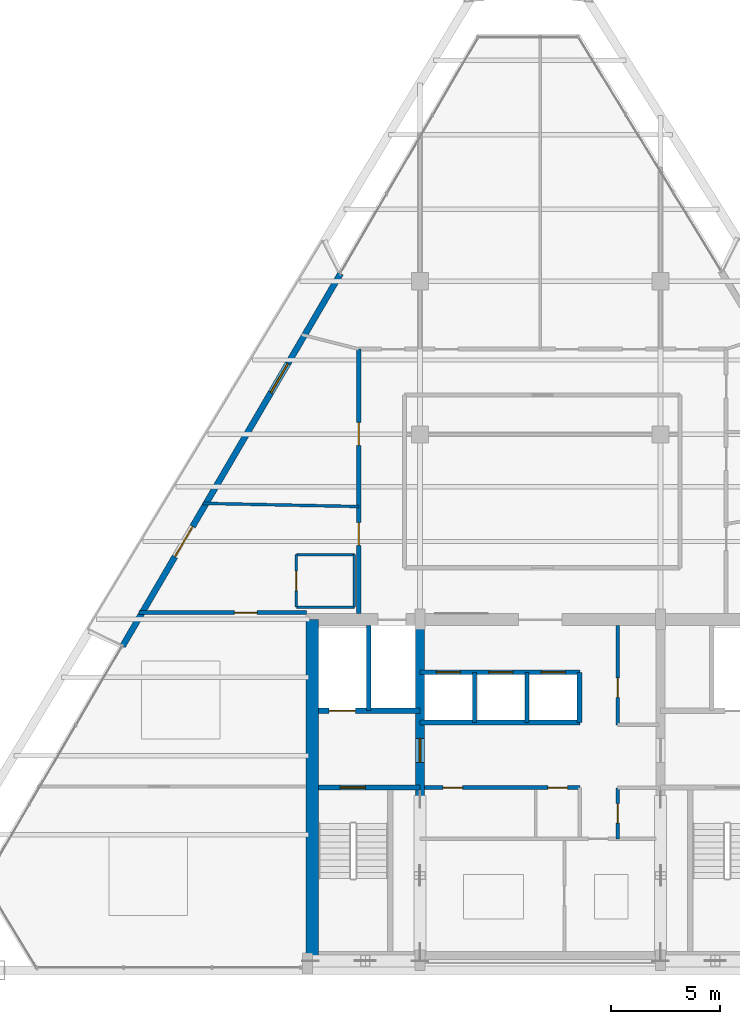
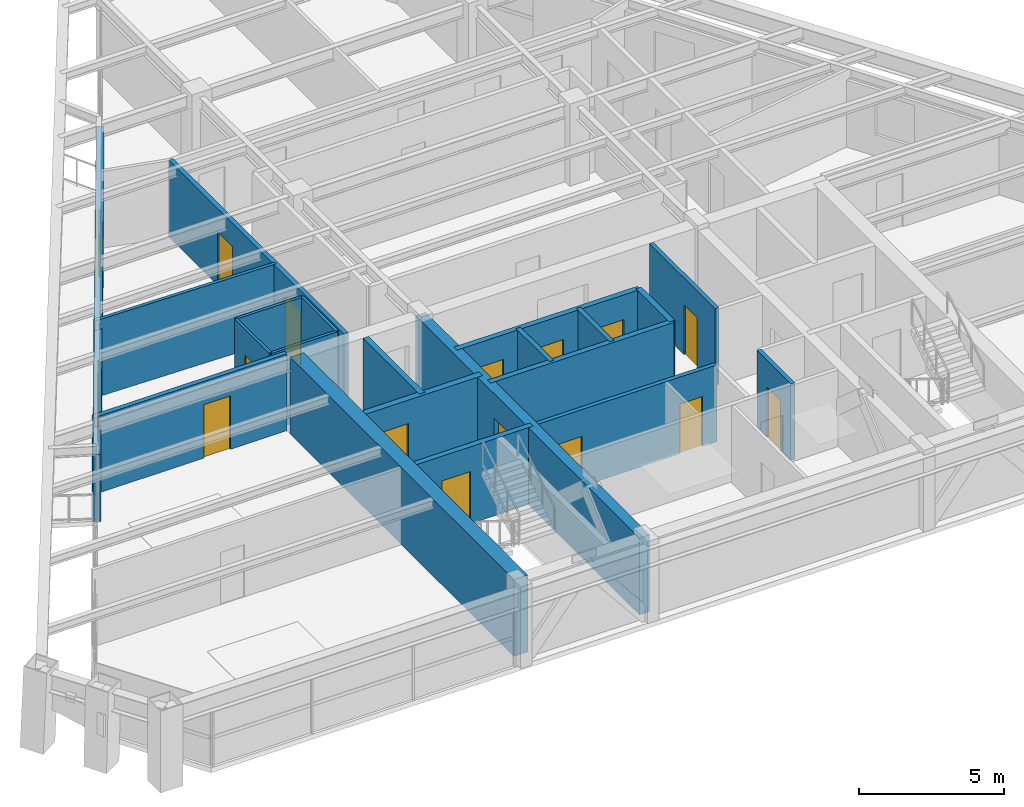
# One storey, part 9 of 13: 21 walls, 15 doors, 1 window, 16 openings.
"""IFC4 building model written with IfcOpenShell, lengths in metres."""

from ifc_helpers import new_model, si_unit, direction, frame, frame_2d, origin, place, context, subcontext, project, spatial, rectangle, extrude, source, transform, mapped, material, layer, layer_set, type_object, type_shapes, element, fill, save


model = new_model("IFC4")

# Units and contexts
model_context = context("Model", 3, precision=1e-05, world=origin(), true_north=direction((0.0, 1.0)))
body_context = subcontext(model_context, "Body", "Model", "MODEL_VIEW")
ifc_project = project(units=[si_unit("LENGTHUNIT", "METRE"), si_unit("AREAUNIT", "SQUARE_METRE"), si_unit("VOLUMEUNIT", "CUBIC_METRE"), si_unit("PLANEANGLEUNIT", "RADIAN"), si_unit("MASSUNIT", "GRAM", prefix="KILO")], contexts=[model_context])

# Site, building, storey
site_placement = place(None, origin())
site = spatial("IfcSite", under=ifc_project, at=site_placement, CompositionType="ELEMENT")
building_placement = place(site_placement, origin())
building = spatial("IfcBuilding", under=site, at=building_placement, Name="Varnakhor Terracotta Tower", CompositionType="ELEMENT")
storey_placement = place(building_placement, frame((0.0, 0.0, 251.050048828125)))
storey = spatial("IfcBuildingStorey", under=building, at=storey_placement, Name="L65", CompositionType="ELEMENT", Elevation=251.050048828125)

# Walls
ifc_material_1 = material(Name="Moisture-Resistant Tile-Backed Partition", Category="gypsum")
ifc_layer_1 = layer(ifc_material_1, 0.114990234375, Name="Moisture-Resistant Tile-Backed Partition")
ifc_layer_set_1 = layer_set([ifc_layer_1], Name="Moisture-Resistant Tile-Backed Partition")
wall_type_1 = type_object("IfcWallType", Name="WAL-BATH-115", PredefinedType="PARTITIONING", material=ifc_layer_set_1)
for number, where, z_axis, x_axis, name in (
    (1, (-11.14990234375, 16.60009765625, 0.0), (0.0, 0.0, 1.0), (1.0, 0.0, 0.0), "L65 En-Suite 1 Wall S"),
    (2, (-11.14990234375, 19.0, 0.0), (0.0, 0.0, 1.0), (1.0, 0.0, 0.0), "L65 En-Suite 1 Wall N"),
):
    element("IfcWall", number, at=place(storey_placement, frame(where, z_axis=z_axis, x_axis=x_axis)), inside=storey, type_object=wall_type_1, Name=name, PredefinedType="PARTITIONING", context=body_context, shape_type="SweptSolid", body=[
        extrude(rectangle(XDim=2.64990234375, YDim=0.114990234375, at=frame_2d((1.324951171875, 0.0))), origin(), (0.0, 0.0, 1.0), 3.23193359375),
    ])

# Wall, opening, door
wall_1_placement = place(storey_placement, frame((-11.14990234375, 16.60009765625, 0.0), z_axis=(0.0, 0.0, 1.0), x_axis=(0.0, 1.0, 0.0)))
wall_1 = element("IfcWall", 3, at=wall_1_placement, inside=storey, type_object=wall_type_1, Name="L65 En-Suite 1 Wall W", PredefinedType="PARTITIONING", context=body_context, shape_type="SweptSolid", body=[
    extrude(rectangle(XDim=2.39990234375, YDim=0.114990234375, at=frame_2d((1.199951171875, 0.0))), origin(), (0.0, 0.0, 1.0), 3.23193359375),
])
opening_1_placement = place(wall_1_placement, frame((0.75, 0.0, 0.0)))
opening_1 = element("IfcOpeningElement", 4, at=opening_1_placement, cuts=wall_1, Name="Opening DR-93", PredefinedType="OPENING", context=body_context, shape_type="SweptSolid", body=[
    extrude(rectangle(XDim=0.89990234375, YDim=2.14990234375, at=frame_2d((0.449951171875, 1.074951171875))), frame((0.0, 0.0673828125, 0.0), z_axis=(0.0, -1.0, 0.0), x_axis=(1.0, 0.0, 0.0)), (0.0, 0.0, 1.0), 0.135009765625),
])
ifc_material_2 = material(Name="Moisture-Resistant Accessible Bathroom Door", Category="wood")
door_type_1 = type_object("IfcDoorType", Name="DR-BATH-900X2150", OperationType="NOTDEFINED", PredefinedType="DOOR", material=ifc_material_2)
shared_shape_1 = source(origin(), body_context, "Body", "SweptSolid", [
    extrude(rectangle(XDim=0.89990234375, YDim=2.14990234375, at=frame_2d((0.449951171875, 1.074951171875))), frame((0.0, 0.02490234375, 0.0), z_axis=(0.0, -1.0, 0.0), x_axis=(1.0, 0.0, 0.0)), (0.0, 0.0, 1.0), 0.050048828125),
])
type_shapes(door_type_1, [shared_shape_1])
door_1_placement = place(opening_1_placement, origin())
door_1 = element("IfcDoor", 5, at=door_1_placement, inside=storey, type_object=door_type_1, Name="L65 En-Suite Bathroom 1 Door", OperationType="SINGLE_SWING_LEFT", OverallHeight=2.14990234375, OverallWidth=0.89990234375, PredefinedType="DOOR", context=body_context, shape_type="MappedRepresentation", body=[
    mapped(shared_shape_1, transform((0.0, 0.0, 0.0), scale=1.0)),
])
fill(opening_1, door_1)

# Walls
wall_2_placement = place(storey_placement, frame((-8.5, 16.60009765625, 0.0), z_axis=(0.0, 0.0, 1.0), x_axis=(0.0, 1.0, 0.0)))
element("IfcWall", 6, at=wall_2_placement, inside=storey, type_object=wall_type_1, Name="L65 En-Suite 1 Wall E", PredefinedType="PARTITIONING", context=body_context, shape_type="SweptSolid", body=[
    extrude(rectangle(XDim=2.39990234375, YDim=0.114990234375, at=frame_2d((1.199951171875, 0.0))), origin(), (0.0, 0.0, 1.0), 3.23193359375),
])
ifc_material_3 = material(Name="Concrete C50/60", Category="concrete")
ifc_layer_2 = layer(ifc_material_3, 0.550048828125, Name="Concrete C50/60")
ifc_layer_set_2 = layer_set([ifc_layer_2], Name="Concrete C50/60")
wall_type_2 = type_object("IfcWallType", Name="WAL-CORE-550", PredefinedType="SHEAR", material=ifc_layer_set_2)
wall_3_placement = place(storey_placement, frame((-10.425048828125, 0.574951171875, 0.0), z_axis=(0.0, 0.0, 1.0), x_axis=(0.0, 1.0, 0.0)))
element("IfcWall", 7, at=wall_3_placement, inside=storey, type_object=wall_type_2, Name="L65 West Core Shear Wall", PredefinedType="SHEAR", context=body_context, shape_type="SweptSolid", body=[
    extrude(rectangle(XDim=15.449951171875, YDim=0.550048828125, at=frame_2d((7.72509765625, 0.0))), origin(), (0.0, 0.0, 1.0), 3.239990234375),
])

# Wall, opening, door
ifc_layer_3 = layer(ifc_material_3, 0.39990234375, Name="Concrete C50/60")
ifc_layer_set_3 = layer_set([ifc_layer_3], Name="Concrete C50/60")
wall_type_3 = type_object("IfcWallType", Name="WAL-CORE-WEB-400", PredefinedType="SHEAR", material=ifc_layer_set_3)
wall_4_placement = place(storey_placement, frame((-5.5, 0.574951171875, 0.0), z_axis=(0.0, 0.0, 1.0), x_axis=(0.0, 1.0, 0.0)))
wall_4 = element("IfcWall", 8, at=wall_4_placement, inside=storey, type_object=wall_type_3, Name="L65 West Core Web Shear Wall", PredefinedType="SHEAR", context=body_context, shape_type="SweptSolid", body=[
    extrude(rectangle(XDim=15.449951171875, YDim=0.39990234375, at=frame_2d((7.72509765625, 0.0))), origin(), (0.0, 0.0, 1.0), 3.239990234375),
])
opening_2_placement = place(wall_4_placement, frame((8.925048828125, 0.0, 0.0)))
opening_2 = element("IfcOpeningElement", 9, at=opening_2_placement, cuts=wall_4, Name="Opening DR-25", PredefinedType="OPENING", context=body_context, shape_type="SweptSolid", body=[
    extrude(rectangle(XDim=1.10009765625, YDim=2.199951171875, at=frame_2d((0.550048828125, 1.10009765625))), frame((0.0, 0.2099609375, 0.0), z_axis=(0.0, -1.0, 0.0), x_axis=(1.0, 0.0, 0.0)), (0.0, 0.0, 1.0), 0.419921875),
])
ifc_material_4 = material(Name="Firefighting Lobby Self-Closing Fire Door", Category="steel")
door_type_2 = type_object("IfcDoorType", Name="DR-FFL-1100X2200", OperationType="NOTDEFINED", PredefinedType="DOOR", material=ifc_material_4)
shared_shape_2 = source(origin(), body_context, "Body", "SweptSolid", [
    extrude(rectangle(XDim=1.10009765625, YDim=2.199951171875, at=frame_2d((0.550048828125, 1.10009765625))), frame((0.0, 0.02490234375, 0.0), z_axis=(0.0, -1.0, 0.0), x_axis=(1.0, 0.0, 0.0)), (0.0, 0.0, 1.0), 0.050048828125),
])
type_shapes(door_type_2, [shared_shape_2])
door_2_placement = place(opening_2_placement, origin())
door_2 = element("IfcDoor", 10, at=door_2_placement, inside=storey, type_object=door_type_2, Name="L65 West Firefighting Lobby Door", OperationType="SINGLE_SWING_LEFT", OverallHeight=2.199951171875, OverallWidth=1.10009765625, PredefinedType="DOOR", context=body_context, shape_type="MappedRepresentation", body=[
    mapped(shared_shape_2, transform((0.0, 0.0, 0.0), scale=1.0)),
])
fill(opening_2, door_2)

# Wall, openings, doors
ifc_material_5 = material(Name="Fire-Rated Gypsum Stud Partition", Category="gypsum")
ifc_layer_4 = layer(ifc_material_5, 0.18505859375, Name="Fire-Rated Gypsum Stud Partition")
ifc_layer_set_4 = layer_set([ifc_layer_4], Name="Fire-Rated Gypsum Stud Partition")
wall_type_4 = type_object("IfcWallType", Name="WAL-CORR-185", PredefinedType="PARTITIONING", material=ifc_layer_set_4)
wall_5_placement = place(storey_placement, frame((-8.300048828125, 16.300048828125, 0.0), z_axis=(0.0, 0.0, 1.0), x_axis=(0.0, 1.0, 0.0)))
wall_5 = element("IfcWall", 11, at=wall_5_placement, inside=storey, type_object=wall_type_4, Name="L65 Hotel West Corridor Wall", PredefinedType="PARTITIONING", context=body_context, shape_type="SweptSolid", body=[
    extrude(rectangle(XDim=12.099853515625, YDim=0.18505859375, at=frame_2d((6.0498046875, 0.0))), origin(), (0.0, 0.0, 1.0), 3.23193359375),
])
opening_3_placement = place(wall_5_placement, frame((3.118408203125, 0.0, 0.0)))
opening_3 = element("IfcOpeningElement", 12, at=opening_3_placement, cuts=wall_5, Name="Opening DR-95", PredefinedType="OPENING", context=body_context, shape_type="SweptSolid", body=[
    extrude(rectangle(XDim=1.050048828125, YDim=2.25, at=frame_2d((0.52490234375, 1.125))), frame((0.0, 0.1025390625, 0.0), z_axis=(0.0, -1.0, 0.0), x_axis=(1.0, 0.0, 0.0)), (0.0, 0.0, 1.0), 0.205078125),
])
opening_4_placement = place(wall_5_placement, frame((7.69580078125, 0.0, 0.0)))
opening_4 = element("IfcOpeningElement", 13, at=opening_4_placement, cuts=wall_5, Name="Opening DR-95", PredefinedType="OPENING", context=body_context, shape_type="SweptSolid", body=[
    extrude(rectangle(XDim=1.050048828125, YDim=2.25, at=frame_2d((0.52490234375, 1.125))), frame((0.0, 0.1025390625, 0.0), z_axis=(0.0, -1.0, 0.0), x_axis=(1.0, 0.0, 0.0)), (0.0, 0.0, 1.0), 0.205078125),
])
ifc_material_6 = material(Name="Solid-Core Timber Tenant/Hotel Entrance Door", Category="wood")
door_type_3 = type_object("IfcDoorType", Name="DR-SUITE-1050X2250", OperationType="NOTDEFINED", PredefinedType="DOOR", material=ifc_material_6)
shared_shape_3 = source(origin(), body_context, "Body", "SweptSolid", [
    extrude(rectangle(XDim=1.050048828125, YDim=2.25, at=frame_2d((0.52490234375, 1.125))), frame((0.0, 0.02490234375, 0.0), z_axis=(0.0, -1.0, 0.0), x_axis=(1.0, 0.0, 0.0)), (0.0, 0.0, 1.0), 0.050048828125),
])
type_shapes(door_type_3, [shared_shape_3])
door_3_placement = place(opening_3_placement, origin())
door_3 = element("IfcDoor", 14, at=door_3_placement, inside=storey, type_object=door_type_3, Name="L65 West Room 1 Entry Door", OperationType="SINGLE_SWING_RIGHT", OverallHeight=2.25, OverallWidth=1.050048828125, PredefinedType="DOOR", context=body_context, shape_type="MappedRepresentation", body=[
    mapped(shared_shape_3, transform((0.0, 0.0, 0.0), scale=1.0)),
])
fill(opening_3, door_3)
door_4_placement = place(opening_4_placement, origin())
door_4 = element("IfcDoor", 15, at=door_4_placement, inside=storey, type_object=door_type_3, Name="L65 West Room 2 Entry Door", OperationType="SINGLE_SWING_RIGHT", OverallHeight=2.25, OverallWidth=1.050048828125, PredefinedType="DOOR", context=body_context, shape_type="MappedRepresentation", body=[
    mapped(shared_shape_3, transform((0.0, 0.0, 0.0), scale=1.0)),
])
fill(opening_4, door_4)

# Wall, opening, door
wall_6_placement = place(storey_placement, frame((-18.3515625, 16.35009765625, 0.0), z_axis=(0.0, 0.0, 1.0), x_axis=(1.0, 0.0, 0.0)))
wall_6 = element("IfcWall", 16, at=wall_6_placement, inside=storey, type_object=wall_type_4, Name="L65 South West Guest Entry Wall", PredefinedType="PARTITIONING", context=body_context, shape_type="SweptSolid", body=[
    extrude(rectangle(XDim=7.671630859375, YDim=0.18505859375, at=frame_2d((3.8359375, 0.0))), origin(), (0.0, 0.0, 1.0), 3.23193359375),
])
opening_5_placement = place(wall_6_placement, frame((4.359619140625, 0.0, 0.0)))
opening_5 = element("IfcOpeningElement", 17, at=opening_5_placement, cuts=wall_6, Name="Opening DR-95", PredefinedType="OPENING", context=body_context, shape_type="SweptSolid", body=[
    extrude(rectangle(XDim=1.050048828125, YDim=2.25, at=frame_2d((0.52490234375, 1.125))), frame((0.0, 0.1025390625, 0.0), z_axis=(0.0, -1.0, 0.0), x_axis=(1.0, 0.0, 0.0)), (0.0, 0.0, 1.0), 0.205078125),
])
door_5_placement = place(opening_5_placement, origin())
door_5 = element("IfcDoor", 18, at=door_5_placement, inside=storey, type_object=door_type_3, Name="L65 SW Suite Entry Door", OperationType="SINGLE_SWING_RIGHT", OverallHeight=2.25, OverallWidth=1.050048828125, PredefinedType="DOOR", context=body_context, shape_type="MappedRepresentation", body=[
    mapped(shared_shape_3, transform((0.0, 0.0, 0.0), scale=1.0)),
])
fill(opening_5, door_5)

# Wall, openings, door, window
ifc_material_7 = material(Name="Extruded Architectural Terracotta Assembly", Category="masonry")
ifc_layer_5 = layer(ifc_material_7, 0.280029296875, Name="Extruded Architectural Terracotta Assembly")
ifc_layer_set_5 = layer_set([ifc_layer_5], Name="Extruded Architectural Terracotta Assembly")
wall_type_5 = type_object("IfcWallType", Name="WAL-EXT-TERRACOTTA-280", PredefinedType="SOLIDWALL", material=ifc_layer_set_5)
wall_7_placement = place(storey_placement, frame((-19.099365234375, 14.814453125, 0.0), z_axis=(0.0, 0.0, 1.0), x_axis=(0.505023562938, 0.863105556046, 0.0)))
wall_7 = element("IfcWall", 19, at=wall_7_placement, inside=storey, type_object=wall_type_5, Name="L65 W Loggia Insulated Terracotta Wall", PredefinedType="SOLIDWALL", context=body_context, shape_type="SweptSolid", body=[
    extrude(rectangle(XDim=19.748291015625, YDim=0.280029296875, at=frame_2d((9.8740234375, 0.0))), origin(), (0.0, 0.0, 1.0), 2.820068359375),
])
opening_6_placement = place(wall_7_placement, frame((4.739501953125, 0.0, 0.0)))
opening_6 = element("IfcOpeningElement", 20, at=opening_6_placement, cuts=wall_7, Name="Opening DR-62", PredefinedType="OPENING", context=body_context, shape_type="SweptSolid", body=[
    extrude(rectangle(XDim=1.60009765625, YDim=2.35009765625, at=frame_2d((0.800048828125, 1.175048828125))), frame((0.0, 0.14990234375, 0.0), z_axis=(0.0, -1.0, 0.0), x_axis=(1.0, 0.0, 0.0)), (0.0, 0.0, 1.0), 0.300048828125),
])
opening_7_placement = place(wall_7_placement, frame((13.428955078125, 0.0, 0.89990234375)))
opening_7 = element("IfcOpeningElement", 21, at=opening_7_placement, cuts=wall_7, Name="Opening WN-59", PredefinedType="OPENING", context=body_context, shape_type="SweptSolid", body=[
    extrude(rectangle(XDim=1.550048828125, YDim=1.75, at=frame_2d((0.77490234375, 0.875))), frame((0.0, 0.14990234375, 0.0), z_axis=(0.0, -1.0, 0.0), x_axis=(1.0, 0.0, 0.0)), (0.0, 0.0, 1.0), 0.300048828125),
])
ifc_material_8 = material(Name="Thermally Broken Sliding Glass Loggia Door", Category="glass")
door_type_4 = type_object("IfcDoorType", Name="DR-EXT-LOGGIA-1600X2350", OperationType="NOTDEFINED", PredefinedType="DOOR", material=ifc_material_8)
shared_shape_4 = source(origin(), body_context, "Body", "SweptSolid", [
    extrude(rectangle(XDim=1.60009765625, YDim=2.35009765625, at=frame_2d((0.800048828125, 1.175048828125))), frame((0.0, 0.02490234375, 0.0), z_axis=(0.0, -1.0, 0.0), x_axis=(1.0, 0.0, 0.0)), (0.0, 0.0, 1.0), 0.050048828125),
])
type_shapes(door_type_4, [shared_shape_4])
door_6_placement = place(opening_6_placement, origin())
door_6 = element("IfcDoor", 22, at=door_6_placement, inside=storey, type_object=door_type_4, Name="L65 W Recessed Loggia Sliding Door", OperationType="SLIDING_TO_LEFT", OverallHeight=2.35009765625, OverallWidth=1.60009765625, PredefinedType="DOOR", context=body_context, shape_type="MappedRepresentation", body=[
    mapped(shared_shape_4, transform((0.0, 0.0, 0.0), scale=1.0)),
])
fill(opening_6, door_6)
ifc_material_9 = material(Name="Solar-Control Low-E Insulated Glass Unit", Category="glass")
window_type = type_object("IfcWindowType", Name="WIN-HTL-1500X1950", PartitioningType="SINGLE_PANEL", PredefinedType="WINDOW", material=ifc_material_9)
shared_shape_5 = source(origin(), body_context, "Body", "SweptSolid", [
    extrude(rectangle(XDim=1.550048828125, YDim=1.75, at=frame_2d((0.77490234375, 0.875))), frame((0.0, 0.030029296875, 0.0), z_axis=(0.0, -1.0, 0.0), x_axis=(1.0, 0.0, 0.0)), (0.0, 0.0, 1.0), 0.06005859375),
])
type_shapes(window_type, [shared_shape_5])
window_placement = place(opening_7_placement, origin())
window = element("IfcWindow", 23, at=window_placement, inside=storey, type_object=window_type, Name="L65 W Facet Punched Window", OverallHeight=1.75, OverallWidth=1.550048828125, PartitioningType="SINGLE_PANEL", PredefinedType="WINDOW", context=body_context, shape_type="MappedRepresentation", body=[
    mapped(shared_shape_5, transform((0.0, 0.0, 0.0), scale=1.0)),
])
fill(opening_7, window)

# Wall, opening, door
ifc_material_10 = material(Name="Concrete C40/50", Category="concrete")
ifc_layer_6 = layer(ifc_material_10, 0.219970703125, Name="Concrete C40/50")
ifc_layer_set_6 = layer_set([ifc_layer_6], Name="Concrete C40/50")
wall_type_6 = type_object("IfcWallType", Name="WAL-FFLOBBY-220", PredefinedType="SOLIDWALL", material=ifc_layer_set_6)
wall_8_placement = place(storey_placement, frame((-5.5, 8.35009765625, 0.0), z_axis=(0.0, 0.0, 1.0), x_axis=(-1.0, 0.0, 0.0)))
wall_8 = element("IfcWall", 24, at=wall_8_placement, inside=storey, type_object=wall_type_6, Name="L65 West Firefighting Lobby Stair Wall", PredefinedType="SOLIDWALL", context=body_context, shape_type="SweptSolid", body=[
    extrude(rectangle(XDim=4.64990234375, YDim=0.219970703125, at=frame_2d((2.324951171875, 0.0))), origin(), (0.0, 0.0, 1.0), 3.239990234375),
])
opening_8_placement = place(wall_8_placement, frame((2.5, 0.0, 0.0)))
opening_8 = element("IfcOpeningElement", 25, at=opening_8_placement, cuts=wall_8, Name="Opening DR-34", PredefinedType="OPENING", context=body_context, shape_type="SweptSolid", body=[
    extrude(rectangle(XDim=1.14990234375, YDim=2.199951171875, at=frame_2d((0.574951171875, 1.10009765625))), frame((0.0, 0.1201171875, 0.0), z_axis=(0.0, -1.0, 0.0), x_axis=(1.0, 0.0, 0.0)), (0.0, 0.0, 1.0), 0.239990234375),
])
ifc_material_11 = material(Name="Self-Closing Smoke-Sealed Steel Fire Door", Category="steel")
door_type_5 = type_object("IfcDoorType", Name="DR-STAIR-1150X2200", OperationType="NOTDEFINED", PredefinedType="DOOR", material=ifc_material_11)
shared_shape_6 = source(origin(), body_context, "Body", "SweptSolid", [
    extrude(rectangle(XDim=1.14990234375, YDim=2.199951171875, at=frame_2d((0.574951171875, 1.10009765625))), frame((0.0, 0.02490234375, 0.0), z_axis=(0.0, -1.0, 0.0), x_axis=(1.0, 0.0, 0.0)), (0.0, 0.0, 1.0), 0.050048828125),
])
type_shapes(door_type_5, [shared_shape_6])
door_7_placement = place(opening_8_placement, origin())
door_7 = element("IfcDoor", 26, at=door_7_placement, inside=storey, type_object=door_type_5, Name="L65 Exit Stair ST-1 Fire Door", OperationType="SINGLE_SWING_RIGHT", OverallHeight=2.199951171875, OverallWidth=1.14990234375, PredefinedType="DOOR", context=body_context, shape_type="MappedRepresentation", body=[
    mapped(shared_shape_6, transform((0.0, 0.0, 0.0), scale=1.0)),
])
fill(opening_8, door_7)

# Walls
ifc_material_12 = material(Name="Acoustic Hotel Room Partition", Category="gypsum")
ifc_layer_7 = layer(ifc_material_12, 0.1298828125, Name="Acoustic Hotel Room Partition")
ifc_layer_set_7 = layer_set([ifc_layer_7], Name="Acoustic Hotel Room Partition")
wall_type_7 = type_object("IfcWallType", Name="WAL-PART-130", PredefinedType="PARTITIONING", material=ifc_layer_set_7)
wall_9_placement = place(storey_placement, frame((-15.42919921875, 21.344482421875, 0.0), z_axis=(0.0, 0.0, 1.0), x_axis=(0.999794560419, -0.020269113379, 0.0)))
element("IfcWall", 27, at=wall_9_placement, inside=storey, type_object=wall_type_7, Name="L65 West Key Cut 1", PredefinedType="PARTITIONING", context=body_context, shape_type="SweptSolid", body=[
    extrude(rectangle(XDim=7.130615234375, YDim=0.1298828125, at=frame_2d((3.5654296875, 0.0))), origin(), (0.0, 0.0, 1.0), 3.23193359375),
])
ifc_layer_8 = layer(ifc_material_10, 0.179931640625, Name="Concrete C40/50")
ifc_layer_set_8 = layer_set([ifc_layer_8], Name="Concrete C40/50")
wall_type_8 = type_object("IfcWallType", Name="WAL-SHAFT-180", PredefinedType="SOLIDWALL", material=ifc_layer_set_8)
for number, where, z_axis, x_axis, name in (
    (28, (-3.0, 11.320068359375, 0.0), (0.0, 0.0, 1.0), (0.0, 1.0, 0.0), "L65 PL-3A Divider"),
    (29, (-0.60009765625, 11.320068359375, 0.0), (0.0, 0.0, 1.0), (0.0, 1.0, 0.0), "L65 PL-3B Divider"),
):
    element("IfcWall", number, at=place(storey_placement, frame(where, z_axis=z_axis, x_axis=x_axis)), inside=storey, type_object=wall_type_8, Name=name, PredefinedType="SOLIDWALL", context=body_context, shape_type="SweptSolid", body=[
        extrude(rectangle(XDim=2.300048828125, YDim=0.179931640625, at=frame_2d((1.14990234375, 0.0))), origin(), (0.0, 0.0, 1.0), 3.239990234375),
    ])
ifc_layer_9 = layer(ifc_material_10, 0.219970703125, Name="Concrete C40/50")
ifc_layer_set_9 = layer_set([ifc_layer_9], Name="Concrete C40/50")
wall_type_9 = type_object("IfcWallType", Name="WAL-SHAFT-220", PredefinedType="SOLIDWALL", material=ifc_layer_set_9)
wall_10_placement = place(storey_placement, frame((-7.840087890625, 11.8701171875, 0.0), z_axis=(0.0, 0.0, 1.0), x_axis=(0.0, 1.0, 0.0)))
element("IfcWall", 30, at=wall_10_placement, inside=storey, type_object=wall_type_9, Name="L65 Lift FFL-1 and SVL-1 Divider Wall", PredefinedType="SOLIDWALL", context=body_context, shape_type="SweptSolid", body=[
    extrude(rectangle(XDim=3.8798828125, YDim=0.219970703125, at=frame_2d((1.93994140625, 0.0))), origin(), (0.0, 0.0, 1.0), 3.239990234375),
])
wall_11_placement = place(storey_placement, frame((-5.5, 11.320068359375, 0.0), z_axis=(0.0, 0.0, 1.0), x_axis=(1.0, 0.0, 0.0)))
element("IfcWall", 31, at=wall_11_placement, inside=storey, type_object=wall_type_9, Name="L65 Bank 3 South Shaft Wall", PredefinedType="SOLIDWALL", context=body_context, shape_type="SweptSolid", body=[
    extrude(rectangle(XDim=7.320068359375, YDim=0.219970703125, at=frame_2d((3.66015625, 0.0))), origin(), (0.0, 0.0, 1.0), 3.239990234375),
])

# Wall, openings, doors
wall_12_placement = place(storey_placement, frame((-5.5, 13.6201171875, 0.0), z_axis=(0.0, 0.0, 1.0), x_axis=(1.0, 0.0, 0.0)))
wall_12 = element("IfcWall", 32, at=wall_12_placement, inside=storey, type_object=wall_type_9, Name="L65 Bank 3 North Shaft Wall", PredefinedType="SOLIDWALL", context=body_context, shape_type="SweptSolid", body=[
    extrude(rectangle(XDim=7.320068359375, YDim=0.219970703125, at=frame_2d((3.66015625, 0.0))), origin(), (0.0, 0.0, 1.0), 3.239990234375),
])
opening_9_placement = place(wall_12_placement, frame((0.75, 0.0, 0.0)))
opening_9 = element("IfcOpeningElement", 33, at=opening_9_placement, cuts=wall_12, Name="Opening LD-01", PredefinedType="OPENING", context=body_context, shape_type="SweptSolid", body=[
    extrude(rectangle(XDim=1.10009765625, YDim=2.199951171875, at=frame_2d((0.550048828125, 1.10009765625))), frame((0.0, 0.1201171875, 0.0), z_axis=(0.0, -1.0, 0.0), x_axis=(1.0, 0.0, 0.0)), (0.0, 0.0, 1.0), 0.239990234375),
])
opening_10_placement = place(wall_12_placement, frame((3.14990234375, 0.0, 0.0)))
opening_10 = element("IfcOpeningElement", 34, at=opening_10_placement, cuts=wall_12, Name="Opening LD-01", PredefinedType="OPENING", context=body_context, shape_type="SweptSolid", body=[
    extrude(rectangle(XDim=1.10009765625, YDim=2.199951171875, at=frame_2d((0.550048828125, 1.10009765625))), frame((0.0, 0.1201171875, 0.0), z_axis=(0.0, -1.0, 0.0), x_axis=(1.0, 0.0, 0.0)), (0.0, 0.0, 1.0), 0.239990234375),
])
opening_11_placement = place(wall_12_placement, frame((5.550048828125, 0.0, 0.0)))
opening_11 = element("IfcOpeningElement", 35, at=opening_11_placement, cuts=wall_12, Name="Opening LD-01", PredefinedType="OPENING", context=body_context, shape_type="SweptSolid", body=[
    extrude(rectangle(XDim=1.10009765625, YDim=2.199951171875, at=frame_2d((0.550048828125, 1.10009765625))), frame((0.0, 0.1201171875, 0.0), z_axis=(0.0, -1.0, 0.0), x_axis=(1.0, 0.0, 0.0)), (0.0, 0.0, 1.0), 0.239990234375),
])
ifc_material_13 = material(Name="Brushed Stainless Steel Sliding Lift Landing Door", Category="steel")
door_type_6 = type_object("IfcDoorType", Name="LD-PASS-1100X2200", OperationType="NOTDEFINED", PredefinedType="DOOR", material=ifc_material_13)
shared_shape_7 = source(origin(), body_context, "Body", "SweptSolid", [
    extrude(rectangle(XDim=1.10009765625, YDim=2.199951171875, at=frame_2d((0.550048828125, 1.10009765625))), frame((0.0, 0.02490234375, 0.0), z_axis=(0.0, -1.0, 0.0), x_axis=(1.0, 0.0, 0.0)), (0.0, 0.0, 1.0), 0.050048828125),
])
type_shapes(door_type_6, [shared_shape_7])
door_8_placement = place(opening_9_placement, origin())
door_8 = element("IfcDoor", 36, at=door_8_placement, inside=storey, type_object=door_type_6, Name="L65 Passenger Lift PL-3A Landing Door", OperationType="SLIDING_TO_RIGHT", OverallHeight=2.199951171875, OverallWidth=1.10009765625, PredefinedType="DOOR", context=body_context, shape_type="MappedRepresentation", body=[
    mapped(shared_shape_7, transform((0.0, 0.0, 0.0), scale=1.0)),
])
fill(opening_9, door_8)
door_9_placement = place(opening_10_placement, origin())
door_9 = element("IfcDoor", 37, at=door_9_placement, inside=storey, type_object=door_type_6, Name="L65 Passenger Lift PL-3B Landing Door", OperationType="SLIDING_TO_RIGHT", OverallHeight=2.199951171875, OverallWidth=1.10009765625, PredefinedType="DOOR", context=body_context, shape_type="MappedRepresentation", body=[
    mapped(shared_shape_7, transform((0.0, 0.0, 0.0), scale=1.0)),
])
fill(opening_10, door_9)
door_10_placement = place(opening_11_placement, origin())
door_10 = element("IfcDoor", 38, at=door_10_placement, inside=storey, type_object=door_type_6, Name="L65 Passenger Lift PL-3C Landing Door", OperationType="SLIDING_TO_RIGHT", OverallHeight=2.199951171875, OverallWidth=1.10009765625, PredefinedType="DOOR", context=body_context, shape_type="MappedRepresentation", body=[
    mapped(shared_shape_7, transform((0.0, 0.0, 0.0), scale=1.0)),
])
fill(opening_11, door_10)

# Wall
wall_13_placement = place(storey_placement, frame((1.800048828125, 11.320068359375, 0.0), z_axis=(0.0, 0.0, 1.0), x_axis=(0.0, 1.0, 0.0)))
element("IfcWall", 39, at=wall_13_placement, inside=storey, type_object=wall_type_9, Name="L65 Bank 3 East Shaft Wall", PredefinedType="SOLIDWALL", context=body_context, shape_type="SweptSolid", body=[
    extrude(rectangle(XDim=2.300048828125, YDim=0.219970703125, at=frame_2d((1.14990234375, 0.0))), origin(), (0.0, 0.0, 1.0), 3.239990234375),
])

# Wall, opening, door
ifc_layer_10 = layer(ifc_material_10, 0.25, Name="Concrete C40/50")
ifc_layer_set_10 = layer_set([ifc_layer_10], Name="Concrete C40/50")
wall_type_10 = type_object("IfcWallType", Name="WAL-SHAFT-250", PredefinedType="SOLIDWALL", material=ifc_layer_set_10)
wall_14_placement = place(storey_placement, frame((-5.5, 11.8701171875, 0.0), z_axis=(0.0, 0.0, 1.0), x_axis=(-1.0, 0.0, 0.0)))
wall_14 = element("IfcWall", 40, at=wall_14_placement, inside=storey, type_object=wall_type_10, Name="L65 Lift FFL-1 Shaft Front Wall", PredefinedType="SOLIDWALL", context=body_context, shape_type="SweptSolid", body=[
    extrude(rectangle(XDim=4.64990234375, YDim=0.25, at=frame_2d((2.324951171875, 0.0))), origin(), (0.0, 0.0, 1.0), 3.239990234375),
])
opening_12_placement = place(wall_14_placement, frame((2.949951171875, 0.0, 0.0)))
opening_12 = element("IfcOpeningElement", 41, at=opening_12_placement, cuts=wall_14, Name="Opening LD-02", PredefinedType="OPENING", context=body_context, shape_type="SweptSolid", body=[
    extrude(rectangle(XDim=1.199951171875, YDim=2.25, at=frame_2d((0.60009765625, 1.125))), frame((0.0, 0.135009765625, 0.0), z_axis=(0.0, -1.0, 0.0), x_axis=(1.0, 0.0, 0.0)), (0.0, 0.0, 1.0), 0.27001953125),
])
ifc_material_14 = material(Name="Firefighting Stretcher Sliding Lift Landing Door", Category="steel")
door_type_7 = type_object("IfcDoorType", Name="LD-FFL-1200X2250", OperationType="NOTDEFINED", PredefinedType="DOOR", material=ifc_material_14)
shared_shape_8 = source(origin(), body_context, "Body", "SweptSolid", [
    extrude(rectangle(XDim=1.199951171875, YDim=2.25, at=frame_2d((0.60009765625, 1.125))), frame((0.0, 0.02490234375, 0.0), z_axis=(0.0, -1.0, 0.0), x_axis=(1.0, 0.0, 0.0)), (0.0, 0.0, 1.0), 0.050048828125),
])
type_shapes(door_type_7, [shared_shape_8])
door_11_placement = place(opening_12_placement, origin())
door_11 = element("IfcDoor", 42, at=door_11_placement, inside=storey, type_object=door_type_7, Name="L65 Firefighting Lift FFL-1 Landing Door", OperationType="SLIDING_TO_LEFT", OverallHeight=2.25, OverallWidth=1.199951171875, PredefinedType="DOOR", context=body_context, shape_type="MappedRepresentation", body=[
    mapped(shared_shape_8, transform((0.0, 0.0, 0.0), scale=1.0)),
])
fill(opening_12, door_11)

ifc_material_15 = material(Name="Acoustic Fire-Rated Partition", Category="gypsum")
ifc_layer_11 = layer(ifc_material_15, 0.1650390625, Name="Acoustic Fire-Rated Partition")
ifc_layer_set_11 = layer_set([ifc_layer_11], Name="Acoustic Fire-Rated Partition")
wall_type_11 = type_object("IfcWallType", Name="WAL-TENANCY-165", PredefinedType="PARTITIONING", material=ifc_layer_set_11)
wall_15_placement = place(storey_placement, frame((3.5400390625, 6.0, 0.0), z_axis=(0.0, 0.0, 1.0), x_axis=(0.0, 1.0, 0.0)))
wall_15 = element("IfcWall", 43, at=wall_15_placement, inside=storey, type_object=wall_type_11, Name="L65 Accessible WC Rated Wall", PredefinedType="PARTITIONING", context=body_context, shape_type="SweptSolid", body=[
    extrude(rectangle(XDim=2.340087890625, YDim=0.1650390625, at=frame_2d((1.169921875, 0.0))), origin(), (0.0, 0.0, 1.0), 3.23193359375),
])
opening_13_placement = place(wall_15_placement, frame((0.719970703125, 0.0, 0.0)))
opening_13 = element("IfcOpeningElement", 44, at=opening_13_placement, cuts=wall_15, Name="Opening DR-67", PredefinedType="OPENING", context=body_context, shape_type="SweptSolid", body=[
    extrude(rectangle(XDim=0.89990234375, YDim=2.10009765625, at=frame_2d((0.449951171875, 1.050048828125))), frame((0.0, 0.092529296875, 0.0), z_axis=(0.0, -1.0, 0.0), x_axis=(1.0, 0.0, 0.0)), (0.0, 0.0, 1.0), 0.18505859375),
])
ifc_material_16 = material(Name="Steel Service Riser Fire Door", Category="steel")
door_type_8 = type_object("IfcDoorType", Name="DR-RISER-900X2100", OperationType="NOTDEFINED", PredefinedType="DOOR", material=ifc_material_16)
shared_shape_9 = source(origin(), body_context, "Body", "SweptSolid", [
    extrude(rectangle(XDim=0.89990234375, YDim=2.10009765625, at=frame_2d((0.449951171875, 1.050048828125))), frame((0.0, 0.02490234375, 0.0), z_axis=(0.0, -1.0, 0.0), x_axis=(1.0, 0.0, 0.0)), (0.0, 0.0, 1.0), 0.050048828125),
])
type_shapes(door_type_8, [shared_shape_9])
door_12_placement = place(opening_13_placement, origin())
door_12 = element("IfcDoor", 45, at=door_12_placement, inside=storey, type_object=door_type_8, Name="L65 Accessible WC Door", OperationType="SINGLE_SWING_RIGHT", OverallHeight=2.10009765625, OverallWidth=0.89990234375, PredefinedType="DOOR", context=body_context, shape_type="MappedRepresentation", body=[
    mapped(shared_shape_9, transform((0.0, 0.0, 0.0), scale=1.0)),
])
fill(opening_13, door_12)

# Wall, openings, doors
wall_16_placement = place(storey_placement, frame((-5.300048828125, 8.35009765625, 0.0), z_axis=(0.0, 0.0, 1.0), x_axis=(1.0, 0.0, 0.0)))
wall_16 = element("IfcWall", 46, at=wall_16_placement, inside=storey, type_object=wall_type_11, Name="L65 Reclaimed Mid-Core North Wall", PredefinedType="PARTITIONING", context=body_context, shape_type="SweptSolid", body=[
    extrude(rectangle(XDim=7.1201171875, YDim=0.1650390625, at=frame_2d((3.56005859375, 0.0))), origin(), (0.0, 0.0, 1.0), 3.23193359375),
])
opening_14_placement = place(wall_16_placement, frame((0.85009765625, 0.0, 0.0)))
opening_14 = element("IfcOpeningElement", 47, at=opening_14_placement, cuts=wall_16, Name="Opening DR-67", PredefinedType="OPENING", context=body_context, shape_type="SweptSolid", body=[
    extrude(rectangle(XDim=0.89990234375, YDim=2.10009765625, at=frame_2d((0.449951171875, 1.050048828125))), frame((0.0, 0.092529296875, 0.0), z_axis=(0.0, -1.0, 0.0), x_axis=(1.0, 0.0, 0.0)), (0.0, 0.0, 1.0), 0.18505859375),
])
opening_15_placement = place(wall_16_placement, frame((5.64990234375, 0.0, 0.0)))
opening_15 = element("IfcOpeningElement", 48, at=opening_15_placement, cuts=wall_16, Name="Opening DR-67", PredefinedType="OPENING", context=body_context, shape_type="SweptSolid", body=[
    extrude(rectangle(XDim=0.89990234375, YDim=2.10009765625, at=frame_2d((0.449951171875, 1.050048828125))), frame((0.0, 0.092529296875, 0.0), z_axis=(0.0, -1.0, 0.0), x_axis=(1.0, 0.0, 0.0)), (0.0, 0.0, 1.0), 0.18505859375),
])
door_13_placement = place(opening_14_placement, origin())
door_13 = element("IfcDoor", 49, at=door_13_placement, inside=storey, type_object=door_type_8, Name="L65 Core West Restroom Door", OperationType="SINGLE_SWING_LEFT", OverallHeight=2.10009765625, OverallWidth=0.89990234375, PredefinedType="DOOR", context=body_context, shape_type="MappedRepresentation", body=[
    mapped(shared_shape_9, transform((0.0, 0.0, 0.0), scale=1.0)),
])
fill(opening_14, door_13)
door_14_placement = place(opening_15_placement, origin())
door_14 = element("IfcDoor", 50, at=door_14_placement, inside=storey, type_object=door_type_8, Name="L65 Core East Restroom Door", OperationType="SINGLE_SWING_RIGHT", OverallHeight=2.10009765625, OverallWidth=0.89990234375, PredefinedType="DOOR", context=body_context, shape_type="MappedRepresentation", body=[
    mapped(shared_shape_9, transform((0.0, 0.0, 0.0), scale=1.0)),
])
fill(opening_15, door_14)

# Wall, opening, door
wall_17_placement = place(storey_placement, frame((3.5400390625, 11.219970703125, 0.0), z_axis=(0.0, 0.0, 1.0), x_axis=(0.0, 1.0, 0.0)))
wall_17 = element("IfcWall", 51, at=wall_17_placement, inside=storey, type_object=wall_type_11, Name="L65 Restroom Corridor Wall", PredefinedType="PARTITIONING", context=body_context, shape_type="SweptSolid", body=[
    extrude(rectangle(XDim=4.530029296875, YDim=0.1650390625, at=frame_2d((2.26513671875, 0.0))), origin(), (0.0, 0.0, 1.0), 3.23193359375),
])
opening_16_placement = place(wall_17_placement, frame((1.25, 0.0, 0.0)))
opening_16 = element("IfcOpeningElement", 52, at=opening_16_placement, cuts=wall_17, Name="Opening DR-67", PredefinedType="OPENING", context=body_context, shape_type="SweptSolid", body=[
    extrude(rectangle(XDim=0.89990234375, YDim=2.10009765625, at=frame_2d((0.449951171875, 1.050048828125))), frame((0.0, 0.092529296875, 0.0), z_axis=(0.0, -1.0, 0.0), x_axis=(1.0, 0.0, 0.0)), (0.0, 0.0, 1.0), 0.18505859375),
])
door_15_placement = place(opening_16_placement, origin())
door_15 = element("IfcDoor", 53, at=door_15_placement, inside=storey, type_object=door_type_8, Name="L65 Female WC Door", OperationType="SINGLE_SWING_LEFT", OverallHeight=2.10009765625, OverallWidth=0.89990234375, PredefinedType="DOOR", context=body_context, shape_type="MappedRepresentation", body=[
    mapped(shared_shape_9, transform((0.0, 0.0, 0.0), scale=1.0)),
])
fill(opening_16, door_15)

save(model, "model.ifc")
